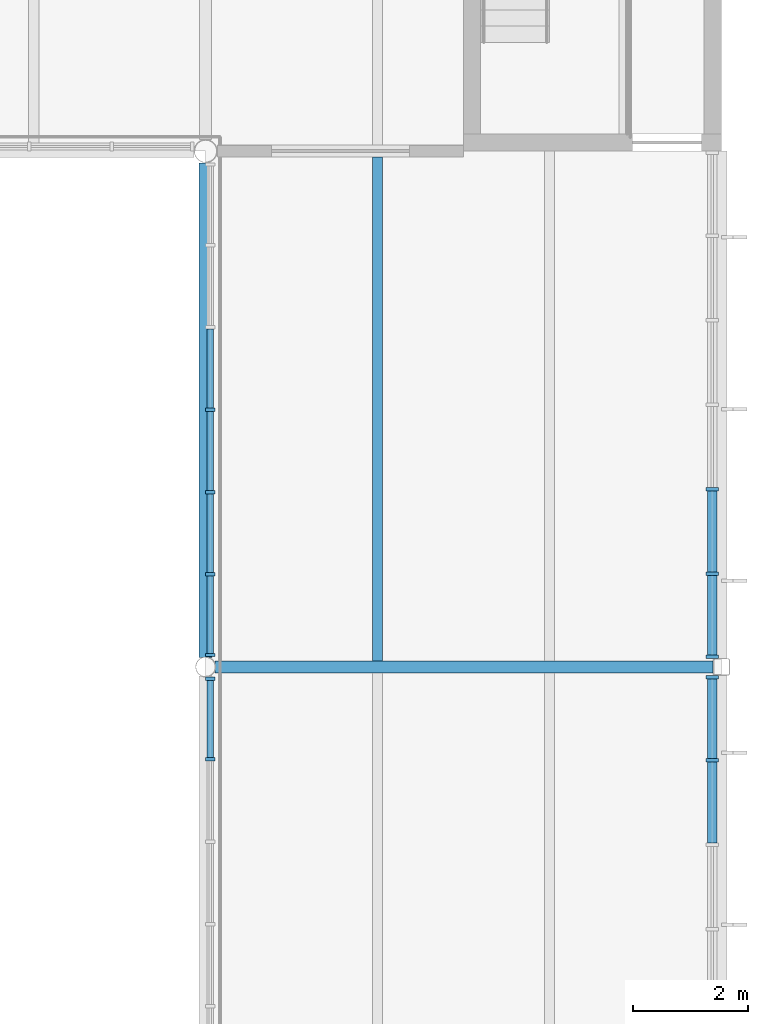
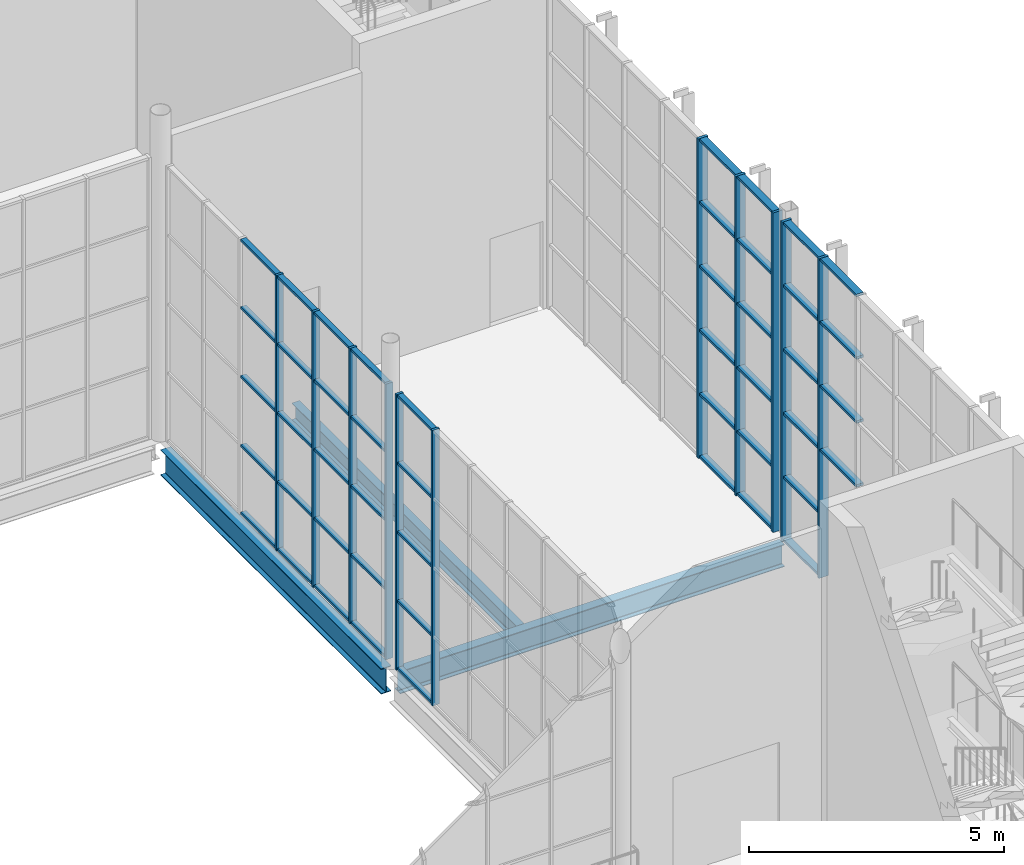
# One storey, part 57 of 90: 58 members, 3 beams, 4 elements without a shape of their own.
"""IFC4 building model written with IfcOpenShell, lengths in metres."""

from ifc_helpers import new_model, si_unit, direction, frame, origin, origin_2d, place, context, subcontext, project, spatial, rectangle, i_section, extrude, material, layer, layer_set, material_profile, profile_set, type_object, element, aggregate, save


model = new_model("IFC4")

# Units and contexts
model_context = context("Model", 3, precision=1e-05, world=origin(), true_north=direction((0.0, 1.0)))
body_context = subcontext(model_context, "Body", "Model", "MODEL_VIEW")
ifc_project = project(units=[si_unit("LENGTHUNIT", "METRE"), si_unit("AREAUNIT", "SQUARE_METRE"), si_unit("VOLUMEUNIT", "CUBIC_METRE"), si_unit("PLANEANGLEUNIT", "RADIAN"), si_unit("MASSUNIT", "GRAM", prefix="KILO")], contexts=[model_context])

# Site, building, storey
site_placement = place(None, origin())
site = spatial("IfcSite", under=ifc_project, at=site_placement, CompositionType="ELEMENT")
building_placement = place(site_placement, origin())
building = spatial("IfcBuilding", under=site, at=building_placement, Name="Halyard Row Museum", CompositionType="ELEMENT")
storey_placement = place(building_placement, frame((0.0, 0.0, 13.39990234375)))
storey = spatial("IfcBuildingStorey", under=building, at=storey_placement, Name="L03", CompositionType="ELEMENT", Elevation=13.39990234375)

# Curtain wall, members
ifc_material_1 = material(Name="Double glazed unit, low-emissivity", Category="glass")
ifc_layer_1 = layer(ifc_material_1, 0.219970703125)
ifc_layer_set_1 = layer_set([ifc_layer_1], Name="Double glazed unit, low-emissivity")
curtain_wall_type_1 = type_object("IfcCurtainWallType", Name="Curtain wall unitised 220 deep", PredefinedType="NOTDEFINED", material=ifc_layer_set_1)
curtain_wall_1_placement = place(storey_placement, origin())
curtain_wall_1 = element("IfcCurtainWall", 1, at=curtain_wall_1_placement, inside=storey, type_object=curtain_wall_type_1, Name="Curtain wall CW048", PredefinedType="NOTDEFINED")
ifc_material_2 = material(Name="Powder-coated aluminium section", Category="aluminium")
ifc_material_profile_1 = material_profile(ifc_material_2, rectangle(XDim=0.219970703125, YDim=0.06005859375, at=origin_2d()), Name="220x60 mullion")
ifc_profile_set_1 = profile_set([ifc_material_profile_1], Name="Powder-coated aluminium section")
member_type_1 = type_object("IfcMemberType", Name="Curtain wall mullion CM3 60 x 220", PredefinedType="MULLION", material=ifc_profile_set_1)
member_1_placement = place(storey_placement, frame((107.840087890625, 16.375, 0.0), z_axis=(0.0, 0.0, 1.0), x_axis=(-1.0, 0.0, 0.0)))
member_1 = element("IfcMember", 2, at=member_1_placement, type_object=member_type_1, Name="CW048 mullion 6", PredefinedType="MULLION", context=body_context, shape_type="SweptSolid", body=[
    extrude(rectangle(XDim=0.219970703125, YDim=0.06005859375, at=origin_2d()), origin(), (0.0, 0.0, 1.0), 7.635009765625),
])
member_2_placement = place(storey_placement, frame((107.840087890625, 17.820068359375, 0.0), z_axis=(0.0, 0.0, 1.0), x_axis=(-1.0, 0.0, 0.0)))
member_2 = element("IfcMember", 3, at=member_2_placement, type_object=member_type_1, Name="CW048 mullion 7", PredefinedType="MULLION", context=body_context, shape_type="SweptSolid", body=[
    extrude(rectangle(XDim=0.219970703125, YDim=0.06005859375, at=origin_2d()), origin(), (0.0, 0.0, 1.0), 7.635009765625),
])

curtain_wall_2_placement = place(storey_placement, origin())
curtain_wall_2 = element("IfcCurtainWall", 4, at=curtain_wall_2_placement, inside=storey, type_object=curtain_wall_type_1, Name="Curtain wall CW049", PredefinedType="NOTDEFINED")
member_3_placement = place(storey_placement, frame((107.840087890625, 18.179931640625, 0.0), z_axis=(0.0, 0.0, 1.0), x_axis=(-1.0, 0.0, 0.0)))
member_3 = element("IfcMember", 5, at=member_3_placement, type_object=member_type_1, Name="CW049 mullion 1", PredefinedType="MULLION", context=body_context, shape_type="SweptSolid", body=[
    extrude(rectangle(XDim=0.219970703125, YDim=0.06005859375, at=origin_2d()), origin(), (0.0, 0.0, 1.0), 7.635009765625),
])
member_4_placement = place(storey_placement, frame((107.840087890625, 19.625, 0.0), z_axis=(0.0, 0.0, 1.0), x_axis=(-1.0, 0.0, 0.0)))
member_4 = element("IfcMember", 6, at=member_4_placement, type_object=member_type_1, Name="CW049 mullion 2", PredefinedType="MULLION", context=body_context, shape_type="SweptSolid", body=[
    extrude(rectangle(XDim=0.219970703125, YDim=0.06005859375, at=origin_2d()), origin(), (0.0, 0.0, 1.0), 7.635009765625),
])
member_5_placement = place(storey_placement, frame((107.840087890625, 21.10009765625, 0.0), z_axis=(0.0, 0.0, 1.0), x_axis=(-1.0, 0.0, 0.0)))
member_5 = element("IfcMember", 7, at=member_5_placement, type_object=member_type_1, Name="CW049 mullion 3", PredefinedType="MULLION", context=body_context, shape_type="SweptSolid", body=[
    extrude(rectangle(XDim=0.219970703125, YDim=0.06005859375, at=origin_2d()), origin(), (0.0, 0.0, 1.0), 7.635009765625),
])

ifc_material_3 = material(Name="Fire-resisting laminated glazing", Category="glass")
ifc_layer_2 = layer(ifc_material_3, 0.159912109375)
ifc_layer_set_2 = layer_set([ifc_layer_2], Name="Fire-resisting laminated glazing")
curtain_wall_type_2 = type_object("IfcCurtainWallType", Name="Curtain wall atrium screen 160 deep", PredefinedType="NOTDEFINED", material=ifc_layer_set_2)
curtain_wall_3_placement = place(storey_placement, origin())
curtain_wall_3 = element("IfcCurtainWall", 8, at=curtain_wall_3_placement, inside=storey, type_object=curtain_wall_type_2, Name="Curtain wall CW096", PredefinedType="NOTDEFINED")
ifc_material_4 = material(Name="Powder-coated aluminium section", Category="aluminium")
ifc_material_profile_2 = material_profile(ifc_material_4, rectangle(XDim=0.159912109375, YDim=0.06005859375, at=origin_2d()), Name="160x60 mullion")
ifc_profile_set_2 = profile_set([ifc_material_profile_2], Name="Powder-coated aluminium section")
member_type_2 = type_object("IfcMemberType", Name="Curtain wall mullion CM5 60 x 160", PredefinedType="MULLION", material=ifc_profile_set_2)
member_6_placement = place(storey_placement, frame((99.080078125, 16.3857421875, 0.0), z_axis=(0.0, 0.0, 1.0), x_axis=(-1.0, 0.0, 0.0)))
member_6 = element("IfcMember", 9, at=member_6_placement, type_object=member_type_2, Name="CW096 mullion 6", PredefinedType="MULLION", context=body_context, shape_type="SweptSolid", body=[
    extrude(rectangle(XDim=0.159912109375, YDim=0.06005859375, at=origin_2d()), origin(), (0.0, 0.0, 1.0), 6.585205078125),
])
member_7_placement = place(storey_placement, frame((99.080078125, 17.792236328125, 0.0), z_axis=(0.0, 0.0, 1.0), x_axis=(-1.0, 0.0, 0.0)))
member_7 = element("IfcMember", 10, at=member_7_placement, type_object=member_type_2, Name="CW096 mullion 7", PredefinedType="MULLION", context=body_context, shape_type="SweptSolid", body=[
    extrude(rectangle(XDim=0.159912109375, YDim=0.06005859375, at=origin_2d()), origin(), (0.0, 0.0, 1.0), 6.585205078125),
])

curtain_wall_4_placement = place(storey_placement, origin())
curtain_wall_4 = element("IfcCurtainWall", 11, at=curtain_wall_4_placement, inside=storey, type_object=curtain_wall_type_2, Name="Curtain wall CW097", PredefinedType="NOTDEFINED")
member_8_placement = place(storey_placement, frame((99.080078125, 18.207763671875, 0.0), z_axis=(0.0, 0.0, 1.0), x_axis=(-1.0, 0.0, 0.0)))
member_8 = element("IfcMember", 12, at=member_8_placement, type_object=member_type_2, Name="CW097 mullion 1", PredefinedType="MULLION", context=body_context, shape_type="SweptSolid", body=[
    extrude(rectangle(XDim=0.159912109375, YDim=0.06005859375, at=origin_2d()), origin(), (0.0, 0.0, 1.0), 6.585205078125),
])
member_9_placement = place(storey_placement, frame((99.080078125, 19.6142578125, 0.0), z_axis=(0.0, 0.0, 1.0), x_axis=(-1.0, 0.0, 0.0)))
member_9 = element("IfcMember", 13, at=member_9_placement, type_object=member_type_2, Name="CW097 mullion 2", PredefinedType="MULLION", context=body_context, shape_type="SweptSolid", body=[
    extrude(rectangle(XDim=0.159912109375, YDim=0.06005859375, at=origin_2d()), origin(), (0.0, 0.0, 1.0), 6.585205078125),
])
member_10_placement = place(storey_placement, frame((99.080078125, 21.05078125, 0.0), z_axis=(0.0, 0.0, 1.0), x_axis=(-1.0, 0.0, 0.0)))
member_10 = element("IfcMember", 14, at=member_10_placement, type_object=member_type_2, Name="CW097 mullion 3", PredefinedType="MULLION", context=body_context, shape_type="SweptSolid", body=[
    extrude(rectangle(XDim=0.159912109375, YDim=0.06005859375, at=origin_2d()), origin(), (0.0, 0.0, 1.0), 6.585205078125),
])
member_11_placement = place(storey_placement, frame((99.080078125, 22.4873046875, 0.0), z_axis=(0.0, 0.0, 1.0), x_axis=(-1.0, 0.0, 0.0)))
member_11 = element("IfcMember", 15, at=member_11_placement, type_object=member_type_2, Name="CW097 mullion 4", PredefinedType="MULLION", context=body_context, shape_type="SweptSolid", body=[
    extrude(rectangle(XDim=0.159912109375, YDim=0.06005859375, at=origin_2d()), origin(), (0.0, 0.0, 1.0), 6.585205078125),
])

# Member
ifc_material_5 = material(Name="Powder-coated aluminium section", Category="aluminium")
ifc_material_profile_3 = material_profile(ifc_material_5, rectangle(XDim=0.159912109375, YDim=0.06005859375, at=origin_2d()), Name="160x60 transom")
ifc_profile_set_3 = profile_set([ifc_material_profile_3], Name="Powder-coated aluminium section")
member_type_3 = type_object("IfcMemberType", Name="Curtain wall transom CT3 60 x 160", PredefinedType="USERDEFINED", material=ifc_profile_set_3)
member_12_placement = place(storey_placement, frame((107.840087890625, 14.929931640625, 3.05419921875), z_axis=(0.0, 1.0, 0.0), x_axis=(-1.0, 0.0, 0.0)))
member_12 = element("IfcMember", 16, at=member_12_placement, type_object=member_type_3, Name="CW048 transom 5.3", ObjectType="TRANSOM", PredefinedType="USERDEFINED", context=body_context, shape_type="SweptSolid", body=[
    extrude(rectangle(XDim=0.159912109375, YDim=0.06005859375, at=origin_2d()), origin(), (0.0, 0.0, 1.0), 1.4150390625),
])

member_13_placement = place(storey_placement, frame((107.840087890625, 14.929931640625, 4.5810546875), z_axis=(0.0, 1.0, 0.0), x_axis=(-1.0, 0.0, 0.0)))
member_13 = element("IfcMember", 17, at=member_13_placement, type_object=member_type_3, Name="CW048 transom 5.4", ObjectType="TRANSOM", PredefinedType="USERDEFINED", context=body_context, shape_type="SweptSolid", body=[
    extrude(rectangle(XDim=0.159912109375, YDim=0.06005859375, at=origin_2d()), origin(), (0.0, 0.0, 1.0), 1.4150390625),
])

member_14_placement = place(storey_placement, frame((107.840087890625, 14.929931640625, 6.108154296875), z_axis=(0.0, 1.0, 0.0), x_axis=(-1.0, 0.0, 0.0)))
member_14 = element("IfcMember", 18, at=member_14_placement, type_object=member_type_3, Name="CW048 transom 5.5", ObjectType="TRANSOM", PredefinedType="USERDEFINED", context=body_context, shape_type="SweptSolid", body=[
    extrude(rectangle(XDim=0.159912109375, YDim=0.06005859375, at=origin_2d()), origin(), (0.0, 0.0, 1.0), 1.4150390625),
])

member_15_placement = place(storey_placement, frame((107.840087890625, 14.929931640625, 7.60498046875), z_axis=(0.0, 1.0, 0.0), x_axis=(-1.0, 0.0, 0.0)))
member_15 = element("IfcMember", 19, at=member_15_placement, type_object=member_type_3, Name="CW048 transom 5.6", ObjectType="TRANSOM", PredefinedType="USERDEFINED", context=body_context, shape_type="SweptSolid", body=[
    extrude(rectangle(XDim=0.159912109375, YDim=0.06005859375, at=origin_2d()), origin(), (0.0, 0.0, 1.0), 1.4150390625),
])

member_16_placement = place(storey_placement, frame((107.840087890625, 16.405029296875, 0.030029296875), z_axis=(0.0, 1.0, 0.0), x_axis=(-1.0, 0.0, 0.0)))
member_16 = element("IfcMember", 20, at=member_16_placement, type_object=member_type_3, Name="CW048 transom 6.1", ObjectType="TRANSOM", PredefinedType="USERDEFINED", context=body_context, shape_type="SweptSolid", body=[
    extrude(rectangle(XDim=0.159912109375, YDim=0.06005859375, at=origin_2d()), origin(), (0.0, 0.0, 1.0), 1.385009765625),
])

member_17_placement = place(storey_placement, frame((107.840087890625, 16.405029296875, 1.527099609375), z_axis=(0.0, 1.0, 0.0), x_axis=(-1.0, 0.0, 0.0)))
member_17 = element("IfcMember", 21, at=member_17_placement, type_object=member_type_3, Name="CW048 transom 6.2", ObjectType="TRANSOM", PredefinedType="USERDEFINED", context=body_context, shape_type="SweptSolid", body=[
    extrude(rectangle(XDim=0.159912109375, YDim=0.06005859375, at=origin_2d()), origin(), (0.0, 0.0, 1.0), 1.385009765625),
])

member_18_placement = place(storey_placement, frame((107.840087890625, 16.405029296875, 3.05419921875), z_axis=(0.0, 1.0, 0.0), x_axis=(-1.0, 0.0, 0.0)))
member_18 = element("IfcMember", 22, at=member_18_placement, type_object=member_type_3, Name="CW048 transom 6.3", ObjectType="TRANSOM", PredefinedType="USERDEFINED", context=body_context, shape_type="SweptSolid", body=[
    extrude(rectangle(XDim=0.159912109375, YDim=0.06005859375, at=origin_2d()), origin(), (0.0, 0.0, 1.0), 1.385009765625),
])

member_19_placement = place(storey_placement, frame((107.840087890625, 16.405029296875, 4.5810546875), z_axis=(0.0, 1.0, 0.0), x_axis=(-1.0, 0.0, 0.0)))
member_19 = element("IfcMember", 23, at=member_19_placement, type_object=member_type_3, Name="CW048 transom 6.4", ObjectType="TRANSOM", PredefinedType="USERDEFINED", context=body_context, shape_type="SweptSolid", body=[
    extrude(rectangle(XDim=0.159912109375, YDim=0.06005859375, at=origin_2d()), origin(), (0.0, 0.0, 1.0), 1.385009765625),
])

member_20_placement = place(storey_placement, frame((107.840087890625, 16.405029296875, 6.108154296875), z_axis=(0.0, 1.0, 0.0), x_axis=(-1.0, 0.0, 0.0)))
member_20 = element("IfcMember", 24, at=member_20_placement, type_object=member_type_3, Name="CW048 transom 6.5", ObjectType="TRANSOM", PredefinedType="USERDEFINED", context=body_context, shape_type="SweptSolid", body=[
    extrude(rectangle(XDim=0.159912109375, YDim=0.06005859375, at=origin_2d()), origin(), (0.0, 0.0, 1.0), 1.385009765625),
])

member_21_placement = place(storey_placement, frame((107.840087890625, 16.405029296875, 7.60498046875), z_axis=(0.0, 1.0, 0.0), x_axis=(-1.0, 0.0, 0.0)))
member_21 = element("IfcMember", 25, at=member_21_placement, type_object=member_type_3, Name="CW048 transom 6.6", ObjectType="TRANSOM", PredefinedType="USERDEFINED", context=body_context, shape_type="SweptSolid", body=[
    extrude(rectangle(XDim=0.159912109375, YDim=0.06005859375, at=origin_2d()), origin(), (0.0, 0.0, 1.0), 1.385009765625),
])

aggregate(curtain_wall_1, [member_1, member_2, member_12, member_13, member_14, member_15, member_16, member_17, member_18, member_19, member_20, member_21])

member_22_placement = place(storey_placement, frame((107.840087890625, 18.2099609375, 0.030029296875), z_axis=(0.0, 1.0, 0.0), x_axis=(-1.0, 0.0, 0.0)))
member_22 = element("IfcMember", 26, at=member_22_placement, type_object=member_type_3, Name="CW049 transom 1.1", ObjectType="TRANSOM", PredefinedType="USERDEFINED", context=body_context, shape_type="SweptSolid", body=[
    extrude(rectangle(XDim=0.159912109375, YDim=0.06005859375, at=origin_2d()), origin(), (0.0, 0.0, 1.0), 1.385009765625),
])

member_23_placement = place(storey_placement, frame((107.840087890625, 18.2099609375, 1.527099609375), z_axis=(0.0, 1.0, 0.0), x_axis=(-1.0, 0.0, 0.0)))
member_23 = element("IfcMember", 27, at=member_23_placement, type_object=member_type_3, Name="CW049 transom 1.2", ObjectType="TRANSOM", PredefinedType="USERDEFINED", context=body_context, shape_type="SweptSolid", body=[
    extrude(rectangle(XDim=0.159912109375, YDim=0.06005859375, at=origin_2d()), origin(), (0.0, 0.0, 1.0), 1.385009765625),
])

member_24_placement = place(storey_placement, frame((107.840087890625, 18.2099609375, 3.05419921875), z_axis=(0.0, 1.0, 0.0), x_axis=(-1.0, 0.0, 0.0)))
member_24 = element("IfcMember", 28, at=member_24_placement, type_object=member_type_3, Name="CW049 transom 1.3", ObjectType="TRANSOM", PredefinedType="USERDEFINED", context=body_context, shape_type="SweptSolid", body=[
    extrude(rectangle(XDim=0.159912109375, YDim=0.06005859375, at=origin_2d()), origin(), (0.0, 0.0, 1.0), 1.385009765625),
])

member_25_placement = place(storey_placement, frame((107.840087890625, 18.2099609375, 4.5810546875), z_axis=(0.0, 1.0, 0.0), x_axis=(-1.0, 0.0, 0.0)))
member_25 = element("IfcMember", 29, at=member_25_placement, type_object=member_type_3, Name="CW049 transom 1.4", ObjectType="TRANSOM", PredefinedType="USERDEFINED", context=body_context, shape_type="SweptSolid", body=[
    extrude(rectangle(XDim=0.159912109375, YDim=0.06005859375, at=origin_2d()), origin(), (0.0, 0.0, 1.0), 1.385009765625),
])

member_26_placement = place(storey_placement, frame((107.840087890625, 18.2099609375, 6.108154296875), z_axis=(0.0, 1.0, 0.0), x_axis=(-1.0, 0.0, 0.0)))
member_26 = element("IfcMember", 30, at=member_26_placement, type_object=member_type_3, Name="CW049 transom 1.5", ObjectType="TRANSOM", PredefinedType="USERDEFINED", context=body_context, shape_type="SweptSolid", body=[
    extrude(rectangle(XDim=0.159912109375, YDim=0.06005859375, at=origin_2d()), origin(), (0.0, 0.0, 1.0), 1.385009765625),
])

member_27_placement = place(storey_placement, frame((107.840087890625, 18.2099609375, 7.60498046875), z_axis=(0.0, 1.0, 0.0), x_axis=(-1.0, 0.0, 0.0)))
member_27 = element("IfcMember", 31, at=member_27_placement, type_object=member_type_3, Name="CW049 transom 1.6", ObjectType="TRANSOM", PredefinedType="USERDEFINED", context=body_context, shape_type="SweptSolid", body=[
    extrude(rectangle(XDim=0.159912109375, YDim=0.06005859375, at=origin_2d()), origin(), (0.0, 0.0, 1.0), 1.385009765625),
])

member_28_placement = place(storey_placement, frame((107.840087890625, 19.655029296875, 0.030029296875), z_axis=(0.0, 1.0, 0.0), x_axis=(-1.0, 0.0, 0.0)))
member_28 = element("IfcMember", 32, at=member_28_placement, type_object=member_type_3, Name="CW049 transom 2.1", ObjectType="TRANSOM", PredefinedType="USERDEFINED", context=body_context, shape_type="SweptSolid", body=[
    extrude(rectangle(XDim=0.159912109375, YDim=0.06005859375, at=origin_2d()), origin(), (0.0, 0.0, 1.0), 1.4150390625),
])

member_29_placement = place(storey_placement, frame((107.840087890625, 19.655029296875, 1.527099609375), z_axis=(0.0, 1.0, 0.0), x_axis=(-1.0, 0.0, 0.0)))
member_29 = element("IfcMember", 33, at=member_29_placement, type_object=member_type_3, Name="CW049 transom 2.2", ObjectType="TRANSOM", PredefinedType="USERDEFINED", context=body_context, shape_type="SweptSolid", body=[
    extrude(rectangle(XDim=0.159912109375, YDim=0.06005859375, at=origin_2d()), origin(), (0.0, 0.0, 1.0), 1.4150390625),
])

member_30_placement = place(storey_placement, frame((107.840087890625, 19.655029296875, 3.05419921875), z_axis=(0.0, 1.0, 0.0), x_axis=(-1.0, 0.0, 0.0)))
member_30 = element("IfcMember", 34, at=member_30_placement, type_object=member_type_3, Name="CW049 transom 2.3", ObjectType="TRANSOM", PredefinedType="USERDEFINED", context=body_context, shape_type="SweptSolid", body=[
    extrude(rectangle(XDim=0.159912109375, YDim=0.06005859375, at=origin_2d()), origin(), (0.0, 0.0, 1.0), 1.4150390625),
])

member_31_placement = place(storey_placement, frame((107.840087890625, 19.655029296875, 4.5810546875), z_axis=(0.0, 1.0, 0.0), x_axis=(-1.0, 0.0, 0.0)))
member_31 = element("IfcMember", 35, at=member_31_placement, type_object=member_type_3, Name="CW049 transom 2.4", ObjectType="TRANSOM", PredefinedType="USERDEFINED", context=body_context, shape_type="SweptSolid", body=[
    extrude(rectangle(XDim=0.159912109375, YDim=0.06005859375, at=origin_2d()), origin(), (0.0, 0.0, 1.0), 1.4150390625),
])

member_32_placement = place(storey_placement, frame((107.840087890625, 19.655029296875, 6.108154296875), z_axis=(0.0, 1.0, 0.0), x_axis=(-1.0, 0.0, 0.0)))
member_32 = element("IfcMember", 36, at=member_32_placement, type_object=member_type_3, Name="CW049 transom 2.5", ObjectType="TRANSOM", PredefinedType="USERDEFINED", context=body_context, shape_type="SweptSolid", body=[
    extrude(rectangle(XDim=0.159912109375, YDim=0.06005859375, at=origin_2d()), origin(), (0.0, 0.0, 1.0), 1.4150390625),
])

member_33_placement = place(storey_placement, frame((107.840087890625, 19.655029296875, 7.60498046875), z_axis=(0.0, 1.0, 0.0), x_axis=(-1.0, 0.0, 0.0)))
member_33 = element("IfcMember", 37, at=member_33_placement, type_object=member_type_3, Name="CW049 transom 2.6", ObjectType="TRANSOM", PredefinedType="USERDEFINED", context=body_context, shape_type="SweptSolid", body=[
    extrude(rectangle(XDim=0.159912109375, YDim=0.06005859375, at=origin_2d()), origin(), (0.0, 0.0, 1.0), 1.4150390625),
])

aggregate(curtain_wall_2, [member_3, member_4, member_5, member_22, member_23, member_24, member_25, member_26, member_27, member_28, member_29, member_30, member_31, member_32, member_33])

ifc_material_6 = material(Name="Powder-coated aluminium section", Category="aluminium")
ifc_material_profile_4 = material_profile(ifc_material_6, rectangle(XDim=0.1201171875, YDim=0.06005859375, at=origin_2d()), Name="120x60 transom")
ifc_profile_set_4 = profile_set([ifc_material_profile_4], Name="Powder-coated aluminium section")
member_type_4 = type_object("IfcMemberType", Name="Curtain wall transom CT5 60 x 120", PredefinedType="USERDEFINED", material=ifc_profile_set_4)
member_34_placement = place(storey_placement, frame((99.080078125, 16.415771484375, 0.030029296875), z_axis=(0.0, 1.0, 0.0), x_axis=(-1.0, 0.0, 0.0)))
member_34 = element("IfcMember", 38, at=member_34_placement, type_object=member_type_4, Name="CW096 transom 6.1", ObjectType="TRANSOM", PredefinedType="USERDEFINED", context=body_context, shape_type="SweptSolid", body=[
    extrude(rectangle(XDim=0.1201171875, YDim=0.06005859375, at=origin_2d()), origin(), (0.0, 0.0, 1.0), 1.346435546875),
])

member_35_placement = place(storey_placement, frame((99.080078125, 16.415771484375, 1.646240234375), z_axis=(0.0, 1.0, 0.0), x_axis=(-1.0, 0.0, 0.0)))
member_35 = element("IfcMember", 39, at=member_35_placement, type_object=member_type_4, Name="CW096 transom 6.2", ObjectType="TRANSOM", PredefinedType="USERDEFINED", context=body_context, shape_type="SweptSolid", body=[
    extrude(rectangle(XDim=0.1201171875, YDim=0.06005859375, at=origin_2d()), origin(), (0.0, 0.0, 1.0), 1.346435546875),
])

member_36_placement = place(storey_placement, frame((99.080078125, 16.415771484375, 3.29248046875), z_axis=(0.0, 1.0, 0.0), x_axis=(-1.0, 0.0, 0.0)))
member_36 = element("IfcMember", 40, at=member_36_placement, type_object=member_type_4, Name="CW096 transom 6.3", ObjectType="TRANSOM", PredefinedType="USERDEFINED", context=body_context, shape_type="SweptSolid", body=[
    extrude(rectangle(XDim=0.1201171875, YDim=0.06005859375, at=origin_2d()), origin(), (0.0, 0.0, 1.0), 1.346435546875),
])

member_37_placement = place(storey_placement, frame((99.080078125, 16.415771484375, 4.93896484375), z_axis=(0.0, 1.0, 0.0), x_axis=(-1.0, 0.0, 0.0)))
member_37 = element("IfcMember", 41, at=member_37_placement, type_object=member_type_4, Name="CW096 transom 6.4", ObjectType="TRANSOM", PredefinedType="USERDEFINED", context=body_context, shape_type="SweptSolid", body=[
    extrude(rectangle(XDim=0.1201171875, YDim=0.06005859375, at=origin_2d()), origin(), (0.0, 0.0, 1.0), 1.346435546875),
])

member_38_placement = place(storey_placement, frame((99.080078125, 16.415771484375, 6.55517578125), z_axis=(0.0, 1.0, 0.0), x_axis=(-1.0, 0.0, 0.0)))
member_38 = element("IfcMember", 42, at=member_38_placement, type_object=member_type_4, Name="CW096 transom 6.5", ObjectType="TRANSOM", PredefinedType="USERDEFINED", context=body_context, shape_type="SweptSolid", body=[
    extrude(rectangle(XDim=0.1201171875, YDim=0.06005859375, at=origin_2d()), origin(), (0.0, 0.0, 1.0), 1.346435546875),
])

aggregate(curtain_wall_3, [member_6, member_7, member_34, member_35, member_36, member_37, member_38])

member_39_placement = place(storey_placement, frame((99.080078125, 18.23779296875, 0.030029296875), z_axis=(0.0, 1.0, 0.0), x_axis=(-1.0, 0.0, 0.0)))
member_39 = element("IfcMember", 43, at=member_39_placement, type_object=member_type_4, Name="CW097 transom 1.1", ObjectType="TRANSOM", PredefinedType="USERDEFINED", context=body_context, shape_type="SweptSolid", body=[
    extrude(rectangle(XDim=0.1201171875, YDim=0.06005859375, at=origin_2d()), origin(), (0.0, 0.0, 1.0), 1.346435546875),
])

member_40_placement = place(storey_placement, frame((99.080078125, 18.23779296875, 1.646240234375), z_axis=(0.0, 1.0, 0.0), x_axis=(-1.0, 0.0, 0.0)))
member_40 = element("IfcMember", 44, at=member_40_placement, type_object=member_type_4, Name="CW097 transom 1.2", ObjectType="TRANSOM", PredefinedType="USERDEFINED", context=body_context, shape_type="SweptSolid", body=[
    extrude(rectangle(XDim=0.1201171875, YDim=0.06005859375, at=origin_2d()), origin(), (0.0, 0.0, 1.0), 1.346435546875),
])

member_41_placement = place(storey_placement, frame((99.080078125, 18.23779296875, 3.29248046875), z_axis=(0.0, 1.0, 0.0), x_axis=(-1.0, 0.0, 0.0)))
member_41 = element("IfcMember", 45, at=member_41_placement, type_object=member_type_4, Name="CW097 transom 1.3", ObjectType="TRANSOM", PredefinedType="USERDEFINED", context=body_context, shape_type="SweptSolid", body=[
    extrude(rectangle(XDim=0.1201171875, YDim=0.06005859375, at=origin_2d()), origin(), (0.0, 0.0, 1.0), 1.346435546875),
])

member_42_placement = place(storey_placement, frame((99.080078125, 18.23779296875, 4.93896484375), z_axis=(0.0, 1.0, 0.0), x_axis=(-1.0, 0.0, 0.0)))
member_42 = element("IfcMember", 46, at=member_42_placement, type_object=member_type_4, Name="CW097 transom 1.4", ObjectType="TRANSOM", PredefinedType="USERDEFINED", context=body_context, shape_type="SweptSolid", body=[
    extrude(rectangle(XDim=0.1201171875, YDim=0.06005859375, at=origin_2d()), origin(), (0.0, 0.0, 1.0), 1.346435546875),
])

member_43_placement = place(storey_placement, frame((99.080078125, 18.23779296875, 6.55517578125), z_axis=(0.0, 1.0, 0.0), x_axis=(-1.0, 0.0, 0.0)))
member_43 = element("IfcMember", 47, at=member_43_placement, type_object=member_type_4, Name="CW097 transom 1.5", ObjectType="TRANSOM", PredefinedType="USERDEFINED", context=body_context, shape_type="SweptSolid", body=[
    extrude(rectangle(XDim=0.1201171875, YDim=0.06005859375, at=origin_2d()), origin(), (0.0, 0.0, 1.0), 1.346435546875),
])

member_44_placement = place(storey_placement, frame((99.080078125, 19.644287109375, 0.030029296875), z_axis=(0.0, 1.0, 0.0), x_axis=(-1.0, 0.0, 0.0)))
member_44 = element("IfcMember", 48, at=member_44_placement, type_object=member_type_4, Name="CW097 transom 2.1", ObjectType="TRANSOM", PredefinedType="USERDEFINED", context=body_context, shape_type="SweptSolid", body=[
    extrude(rectangle(XDim=0.1201171875, YDim=0.06005859375, at=origin_2d()), origin(), (0.0, 0.0, 1.0), 1.37646484375),
])

member_45_placement = place(storey_placement, frame((99.080078125, 19.644287109375, 1.646240234375), z_axis=(0.0, 1.0, 0.0), x_axis=(-1.0, 0.0, 0.0)))
member_45 = element("IfcMember", 49, at=member_45_placement, type_object=member_type_4, Name="CW097 transom 2.2", ObjectType="TRANSOM", PredefinedType="USERDEFINED", context=body_context, shape_type="SweptSolid", body=[
    extrude(rectangle(XDim=0.1201171875, YDim=0.06005859375, at=origin_2d()), origin(), (0.0, 0.0, 1.0), 1.37646484375),
])

member_46_placement = place(storey_placement, frame((99.080078125, 19.644287109375, 3.29248046875), z_axis=(0.0, 1.0, 0.0), x_axis=(-1.0, 0.0, 0.0)))
member_46 = element("IfcMember", 50, at=member_46_placement, type_object=member_type_4, Name="CW097 transom 2.3", ObjectType="TRANSOM", PredefinedType="USERDEFINED", context=body_context, shape_type="SweptSolid", body=[
    extrude(rectangle(XDim=0.1201171875, YDim=0.06005859375, at=origin_2d()), origin(), (0.0, 0.0, 1.0), 1.37646484375),
])

member_47_placement = place(storey_placement, frame((99.080078125, 19.644287109375, 4.93896484375), z_axis=(0.0, 1.0, 0.0), x_axis=(-1.0, 0.0, 0.0)))
member_47 = element("IfcMember", 51, at=member_47_placement, type_object=member_type_4, Name="CW097 transom 2.4", ObjectType="TRANSOM", PredefinedType="USERDEFINED", context=body_context, shape_type="SweptSolid", body=[
    extrude(rectangle(XDim=0.1201171875, YDim=0.06005859375, at=origin_2d()), origin(), (0.0, 0.0, 1.0), 1.37646484375),
])

member_48_placement = place(storey_placement, frame((99.080078125, 19.644287109375, 6.55517578125), z_axis=(0.0, 1.0, 0.0), x_axis=(-1.0, 0.0, 0.0)))
member_48 = element("IfcMember", 52, at=member_48_placement, type_object=member_type_4, Name="CW097 transom 2.5", ObjectType="TRANSOM", PredefinedType="USERDEFINED", context=body_context, shape_type="SweptSolid", body=[
    extrude(rectangle(XDim=0.1201171875, YDim=0.06005859375, at=origin_2d()), origin(), (0.0, 0.0, 1.0), 1.37646484375),
])

member_49_placement = place(storey_placement, frame((99.080078125, 21.080810546875, 0.030029296875), z_axis=(0.0, 1.0, 0.0), x_axis=(-1.0, 0.0, 0.0)))
member_49 = element("IfcMember", 53, at=member_49_placement, type_object=member_type_4, Name="CW097 transom 3.1", ObjectType="TRANSOM", PredefinedType="USERDEFINED", context=body_context, shape_type="SweptSolid", body=[
    extrude(rectangle(XDim=0.1201171875, YDim=0.06005859375, at=origin_2d()), origin(), (0.0, 0.0, 1.0), 1.37646484375),
])

member_50_placement = place(storey_placement, frame((99.080078125, 21.080810546875, 1.646240234375), z_axis=(0.0, 1.0, 0.0), x_axis=(-1.0, 0.0, 0.0)))
member_50 = element("IfcMember", 54, at=member_50_placement, type_object=member_type_4, Name="CW097 transom 3.2", ObjectType="TRANSOM", PredefinedType="USERDEFINED", context=body_context, shape_type="SweptSolid", body=[
    extrude(rectangle(XDim=0.1201171875, YDim=0.06005859375, at=origin_2d()), origin(), (0.0, 0.0, 1.0), 1.37646484375),
])

member_51_placement = place(storey_placement, frame((99.080078125, 21.080810546875, 3.29248046875), z_axis=(0.0, 1.0, 0.0), x_axis=(-1.0, 0.0, 0.0)))
member_51 = element("IfcMember", 55, at=member_51_placement, type_object=member_type_4, Name="CW097 transom 3.3", ObjectType="TRANSOM", PredefinedType="USERDEFINED", context=body_context, shape_type="SweptSolid", body=[
    extrude(rectangle(XDim=0.1201171875, YDim=0.06005859375, at=origin_2d()), origin(), (0.0, 0.0, 1.0), 1.37646484375),
])

member_52_placement = place(storey_placement, frame((99.080078125, 21.080810546875, 4.93896484375), z_axis=(0.0, 1.0, 0.0), x_axis=(-1.0, 0.0, 0.0)))
member_52 = element("IfcMember", 56, at=member_52_placement, type_object=member_type_4, Name="CW097 transom 3.4", ObjectType="TRANSOM", PredefinedType="USERDEFINED", context=body_context, shape_type="SweptSolid", body=[
    extrude(rectangle(XDim=0.1201171875, YDim=0.06005859375, at=origin_2d()), origin(), (0.0, 0.0, 1.0), 1.37646484375),
])

member_53_placement = place(storey_placement, frame((99.080078125, 21.080810546875, 6.55517578125), z_axis=(0.0, 1.0, 0.0), x_axis=(-1.0, 0.0, 0.0)))
member_53 = element("IfcMember", 57, at=member_53_placement, type_object=member_type_4, Name="CW097 transom 3.5", ObjectType="TRANSOM", PredefinedType="USERDEFINED", context=body_context, shape_type="SweptSolid", body=[
    extrude(rectangle(XDim=0.1201171875, YDim=0.06005859375, at=origin_2d()), origin(), (0.0, 0.0, 1.0), 1.37646484375),
])

member_54_placement = place(storey_placement, frame((99.080078125, 22.517333984375, 0.030029296875), z_axis=(0.0, 1.0, 0.0), x_axis=(-1.0, 0.0, 0.0)))
member_54 = element("IfcMember", 58, at=member_54_placement, type_object=member_type_4, Name="CW097 transom 4.1", ObjectType="TRANSOM", PredefinedType="USERDEFINED", context=body_context, shape_type="SweptSolid", body=[
    extrude(rectangle(XDim=0.1201171875, YDim=0.06005859375, at=origin_2d()), origin(), (0.0, 0.0, 1.0), 1.37646484375),
])

member_55_placement = place(storey_placement, frame((99.080078125, 22.517333984375, 1.646240234375), z_axis=(0.0, 1.0, 0.0), x_axis=(-1.0, 0.0, 0.0)))
member_55 = element("IfcMember", 59, at=member_55_placement, type_object=member_type_4, Name="CW097 transom 4.2", ObjectType="TRANSOM", PredefinedType="USERDEFINED", context=body_context, shape_type="SweptSolid", body=[
    extrude(rectangle(XDim=0.1201171875, YDim=0.06005859375, at=origin_2d()), origin(), (0.0, 0.0, 1.0), 1.37646484375),
])

member_56_placement = place(storey_placement, frame((99.080078125, 22.517333984375, 3.29248046875), z_axis=(0.0, 1.0, 0.0), x_axis=(-1.0, 0.0, 0.0)))
member_56 = element("IfcMember", 60, at=member_56_placement, type_object=member_type_4, Name="CW097 transom 4.3", ObjectType="TRANSOM", PredefinedType="USERDEFINED", context=body_context, shape_type="SweptSolid", body=[
    extrude(rectangle(XDim=0.1201171875, YDim=0.06005859375, at=origin_2d()), origin(), (0.0, 0.0, 1.0), 1.37646484375),
])

member_57_placement = place(storey_placement, frame((99.080078125, 22.517333984375, 4.93896484375), z_axis=(0.0, 1.0, 0.0), x_axis=(-1.0, 0.0, 0.0)))
member_57 = element("IfcMember", 61, at=member_57_placement, type_object=member_type_4, Name="CW097 transom 4.4", ObjectType="TRANSOM", PredefinedType="USERDEFINED", context=body_context, shape_type="SweptSolid", body=[
    extrude(rectangle(XDim=0.1201171875, YDim=0.06005859375, at=origin_2d()), origin(), (0.0, 0.0, 1.0), 1.37646484375),
])

member_58_placement = place(storey_placement, frame((99.080078125, 22.517333984375, 6.55517578125), z_axis=(0.0, 1.0, 0.0), x_axis=(-1.0, 0.0, 0.0)))
member_58 = element("IfcMember", 62, at=member_58_placement, type_object=member_type_4, Name="CW097 transom 4.5", ObjectType="TRANSOM", PredefinedType="USERDEFINED", context=body_context, shape_type="SweptSolid", body=[
    extrude(rectangle(XDim=0.1201171875, YDim=0.06005859375, at=origin_2d()), origin(), (0.0, 0.0, 1.0), 1.37646484375),
])

aggregate(curtain_wall_4, [member_8, member_9, member_10, member_11, member_39, member_40, member_41, member_42, member_43, member_44, member_45, member_46, member_47, member_48, member_49, member_50, member_51, member_52, member_53, member_54, member_55, member_56, member_57, member_58])

# Beams
ifc_material_7 = material(Name="Steel Grade 300", Category="steel")
ifc_material_profile_5 = material_profile(ifc_material_7, i_section(OverallWidth=0.208984375, OverallDepth=0.532958984375, WebThickness=0.01025390625, FlangeThickness=0.015625, FilletRadius=0.013916015625, at=origin_2d()), Name="530UB92.4")
ifc_profile_set_5 = profile_set([ifc_material_profile_5], Name="Steel Grade 300")
beam_type_1 = type_object("IfcBeamType", Name="Girder beam 530UB92.4", PredefinedType="BEAM", material=ifc_profile_set_5)
beam_1_placement = place(storey_placement, frame((99.161865234375, 18.0, -0.431396484375), z_axis=(1.0, 0.0, 0.0), x_axis=(0.0, 1.0, 0.0)))
element("IfcBeam", 63, at=beam_1_placement, inside=storey, type_object=beam_type_1, Name="Beam L03-017", PredefinedType="BEAM", context=body_context, shape_type="SweptSolid", body=[
    extrude(i_section(OverallWidth=0.208984375, OverallDepth=0.532958984375, WebThickness=0.01025390625, FlangeThickness=0.015625, FilletRadius=0.013916015625, at=origin_2d()), origin(), (0.0, 0.0, 1.0), 8.688232421875),
])
ifc_material_8 = material(Name="Steel Grade 300", Category="steel")
ifc_material_profile_6 = material_profile(ifc_material_8, i_section(OverallWidth=0.177978515625, OverallDepth=0.406494140625, WebThickness=0.0078125, FlangeThickness=0.0126953125, FilletRadius=0.011474609375, at=origin_2d()), Name="410UB59.7")
ifc_profile_set_6 = profile_set([ifc_material_profile_6], Name="Steel Grade 300")
beam_type_2 = type_object("IfcBeamType", Name="Secondary beam 410UB59.7", PredefinedType="BEAM", material=ifc_profile_set_6)
beam_2_placement = place(storey_placement, frame((102.0, 18.1044921875, -0.3681640625), z_axis=(0.0, 1.0, 0.0), x_axis=(-1.0, 0.0, 0.0)))
element("IfcBeam", 64, at=beam_2_placement, inside=storey, type_object=beam_type_2, Name="Beam L03-093", PredefinedType="BEAM", context=body_context, shape_type="SweptSolid", body=[
    extrude(i_section(OverallWidth=0.177978515625, OverallDepth=0.406494140625, WebThickness=0.0078125, FlangeThickness=0.0126953125, FilletRadius=0.011474609375, at=origin_2d()), origin(), (0.0, 0.0, 1.0), 8.791015625),
])
ifc_material_9 = material(Name="Steel Grade 300", Category="steel")
ifc_material_profile_7 = material_profile(ifc_material_9, i_section(OverallWidth=0.22802734375, OverallDepth=0.60693359375, WebThickness=0.01123046875, FlangeThickness=0.017333984375, FilletRadius=0.013916015625, at=origin_2d()), Name="610UB113")
ifc_profile_set_7 = profile_set([ifc_material_profile_7], Name="Steel Grade 300")
beam_type_3 = type_object("IfcBeamType", Name="Void edge beam 610UB113", PredefinedType="BEAM", material=ifc_profile_set_7)
beam_3_placement = place(storey_placement, frame((99.0, 18.161865234375, -0.468505859375), z_axis=(0.0, 1.0, 0.0), x_axis=(-1.0, 0.0, 0.0)))
element("IfcBeam", 65, at=beam_3_placement, inside=storey, type_object=beam_type_3, Name="Beam L03-067", PredefinedType="BEAM", context=body_context, shape_type="SweptSolid", body=[
    extrude(i_section(OverallWidth=0.22802734375, OverallDepth=0.60693359375, WebThickness=0.01123046875, FlangeThickness=0.017333984375, FilletRadius=0.013916015625, at=origin_2d()), origin(), (0.0, 0.0, 1.0), 8.635009765625),
])

save(model, "model.ifc")
